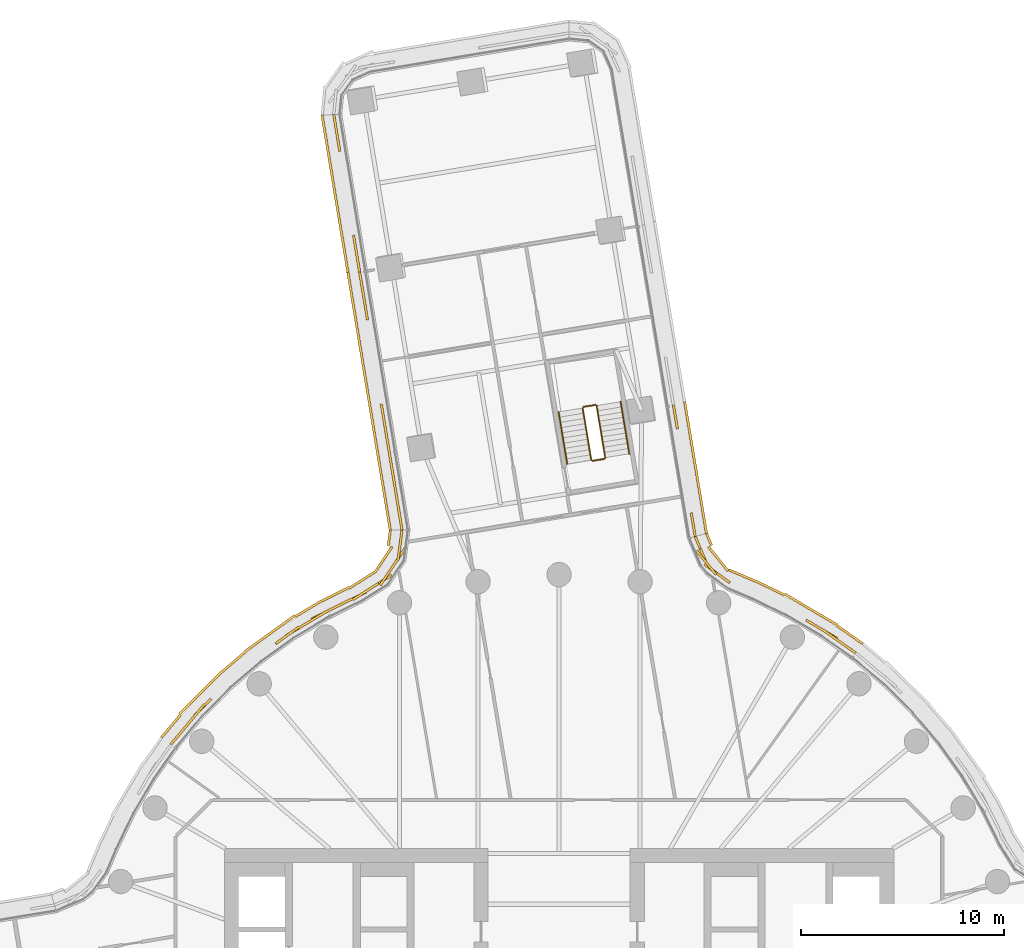
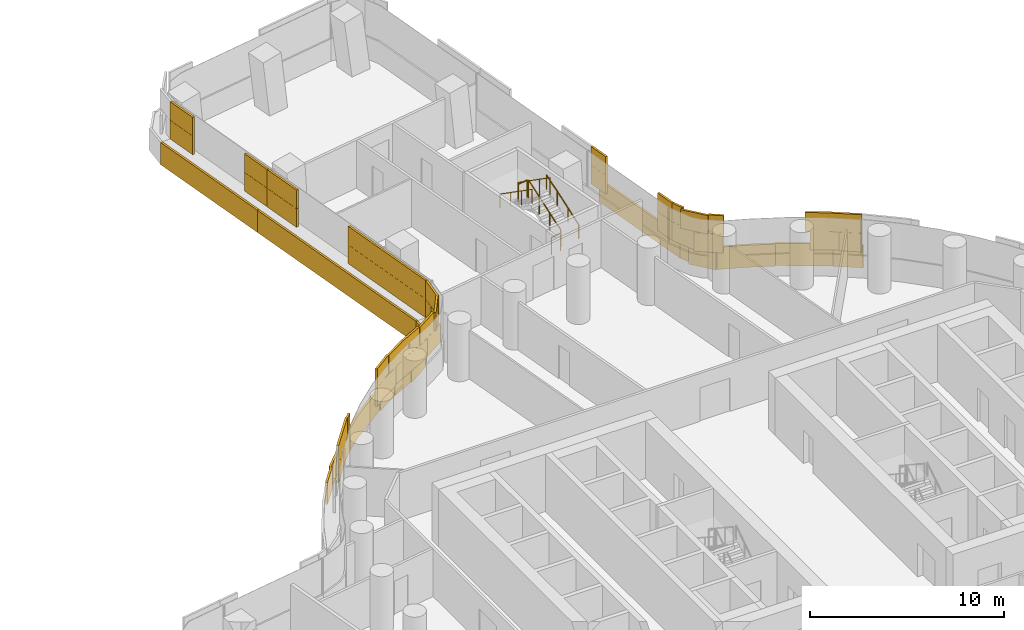
# One storey, part 31 of 32: 6 railings, 5 coverings.
"""IFC4 building model written with IfcOpenShell, lengths in metres."""

from ifc_helpers import new_model, si_unit, direction, frame, origin, origin_2d, place, context, subcontext, project, spatial, rectangle, circle, extrude, material, layer, layer_set, type_object, element, save


model = new_model("IFC4")

# Units and contexts
model_context = context("Model", 3, precision=1e-05, world=origin(), true_north=direction((0.0, 1.0)))
body_context = subcontext(model_context, "Body", "Model", "MODEL_VIEW")
ifc_project = project(units=[si_unit("LENGTHUNIT", "METRE"), si_unit("AREAUNIT", "SQUARE_METRE"), si_unit("VOLUMEUNIT", "CUBIC_METRE"), si_unit("PLANEANGLEUNIT", "RADIAN"), si_unit("MASSUNIT", "GRAM", prefix="KILO")], contexts=[model_context])

# Site, building, storey
site_placement = place(None, origin())
site = spatial("IfcSite", under=ifc_project, at=site_placement, CompositionType="ELEMENT")
building_placement = place(site_placement, origin())
building = spatial("IfcBuilding", under=site, at=building_placement, Name="Tamarind Cross Interchange Tower", CompositionType="ELEMENT")
storey_placement = place(building_placement, frame((0.0, 0.0, 67.75)))
storey = spatial("IfcBuildingStorey", under=building, at=storey_placement, Name="L15", CompositionType="ELEMENT", Elevation=67.75)

# Railings
ifc_material_1 = material(Name="Stair guard")
railing_type_1 = type_object("IfcRailingType", Name="Stair guard", PredefinedType="GUARDRAIL", material=ifc_material_1)
railing_1_placement = place(storey_placement, frame((2.275634765625, 28.7626953125, 0.17041015625)))
element("IfcRailing", 1, at=railing_1_placement, inside=storey, type_object=railing_type_1, Name="L15 ST4 stair guard 1", PredefinedType="GUARDRAIL", context=body_context, shape_type="SweptSolid", body=[
    extrude(circle(Radius=0.02392578125, at=origin_2d()), frame((0.0, 0.0, 1.076171875), z_axis=(-0.136643238685, 0.82504245151, 0.548300627874), x_axis=(-0.986560917186, -0.163393869779, 0.0)), (0.0, 0.0, 1.0), 3.10888671875),
    extrude(circle(Radius=0.02099609375, at=origin_2d()), origin(), (0.0, 0.0, 1.0), 1.052001953125),
    extrude(circle(Radius=0.02099609375, at=origin_2d()), frame((-0.1416015625, 0.85498046875, 0.568115234375)), (0.0, 0.0, 1.0), 1.052001953125),
    extrude(circle(Radius=0.02099609375, at=origin_2d()), frame((-0.283203125, 1.7099609375, 1.136474609375)), (0.0, 0.0, 1.0), 1.052001953125),
    extrude(circle(Radius=0.02099609375, at=origin_2d()), frame((-0.4248046875, 2.56494140625, 1.70458984375)), (0.0, 0.0, 1.0), 1.052001953125),
])
railing_2_placement = place(storey_placement, frame((1.79345703125, 31.368896484375, 1.875)))
element("IfcRailing", 2, at=railing_2_placement, inside=storey, type_object=railing_type_1, Name="L15 ST4 stair guard 2", PredefinedType="GUARDRAIL", context=body_context, shape_type="SweptSolid", body=[
    extrude(circle(Radius=0.02392578125, at=origin_2d()), frame((0.0, 0.0, 1.076171875), z_axis=(-0.98653648747, -0.163541306376, 0.0), x_axis=(0.163541306376, -0.98653648747, 0.0)), (0.0, 0.0, 1.0), 0.60009765625),
    extrude(circle(Radius=0.02099609375, at=origin_2d()), origin(), (0.0, 0.0, 1.0), 1.052001953125),
    extrude(circle(Radius=0.02099609375, at=origin_2d()), frame((-0.592041015625, -0.09814453125, 0.0)), (0.0, 0.0, 1.0), 1.052001953125),
])
railing_3_placement = place(storey_placement, frame((1.160400390625, 31.21337890625, 2.04541015625)))
element("IfcRailing", 3, at=railing_3_placement, inside=storey, type_object=railing_type_1, Name="L15 ST4 stair guard 3", PredefinedType="GUARDRAIL", context=body_context, shape_type="SweptSolid", body=[
    extrude(circle(Radius=0.02392578125, at=origin_2d()), frame((0.0, 0.0, 1.076171875), z_axis=(0.136634385862, -0.825067524282, 0.548265104648), x_axis=(0.986563423859, 0.163378733941, 0.0)), (0.0, 0.0, 1.0), 3.109130859375),
    extrude(circle(Radius=0.02099609375, at=origin_2d()), origin(), (0.0, 0.0, 1.0), 1.052001953125),
    extrude(circle(Radius=0.02099609375, at=origin_2d()), frame((0.1416015625, -0.85498046875, 0.568115234375)), (0.0, 0.0, 1.0), 1.052001953125),
    extrude(circle(Radius=0.02099609375, at=origin_2d()), frame((0.283203125, -1.710205078125, 1.136474609375)), (0.0, 0.0, 1.0), 1.052001953125),
    extrude(circle(Radius=0.02099609375, at=origin_2d()), frame((0.4248046875, -2.565185546875, 1.70458984375)), (0.0, 0.0, 1.0), 1.052001953125),
])
railing_4_placement = place(storey_placement, frame((2.234619140625, 28.705078125, 0.0)))
element("IfcRailing", 4, at=railing_4_placement, inside=storey, type_object=railing_type_1, Name="L15 ST4 stair guard 4", PredefinedType="GUARDRAIL", context=body_context, shape_type="SweptSolid", body=[
    extrude(circle(Radius=0.02392578125, at=origin_2d()), frame((0.0, 0.0, 1.076171875), z_axis=(-0.986602048355, -0.163145328408, 0.0), x_axis=(0.163145328408, -0.986602048355, 0.0)), (0.0, 0.0, 1.0), 0.60009765625),
    extrude(circle(Radius=0.02099609375, at=origin_2d()), origin(), (0.0, 0.0, 1.0), 1.052001953125),
    extrude(circle(Radius=0.02099609375, at=origin_2d()), frame((-0.592041015625, -0.097900390625, 0.0)), (0.0, 0.0, 1.0), 1.052001953125),
])
ifc_material_2 = material(Name="Stair handrail")
railing_type_2 = type_object("IfcRailingType", Name="Stair handrail", PredefinedType="HANDRAIL", material=ifc_material_2)
railing_5_placement = place(storey_placement, frame((3.45947265625, 28.958740234375, 0.17041015625)))
element("IfcRailing", 5, at=railing_5_placement, inside=storey, type_object=railing_type_2, Name="L15 ST4 stair handrail 1", PredefinedType="HANDRAIL", context=body_context, shape_type="SweptSolid", body=[
    extrude(circle(Radius=0.02392578125, at=origin_2d()), frame((0.0, 0.0, 0.8759765625), z_axis=(-0.136643238685, 0.82504245151, 0.548300627874), x_axis=(-0.986560917186, -0.163393869779, 0.0)), (0.0, 0.0, 1.0), 3.10888671875),
    extrude(circle(Radius=0.02099609375, at=origin_2d()), origin(), (0.0, 0.0, 1.0), 0.851806640625),
    extrude(circle(Radius=0.02099609375, at=origin_2d()), frame((-0.1416015625, 0.85498046875, 0.568115234375)), (0.0, 0.0, 1.0), 0.851806640625),
    extrude(circle(Radius=0.02099609375, at=origin_2d()), frame((-0.283203125, 1.7099609375, 1.136474609375)), (0.0, 0.0, 1.0), 0.851806640625),
    extrude(circle(Radius=0.02099609375, at=origin_2d()), frame((-0.4248046875, 2.56494140625, 1.70458984375)), (0.0, 0.0, 1.0), 0.851806640625),
])
railing_6_placement = place(storey_placement, frame((-0.023681640625, 31.017333984375, 2.04541015625)))
element("IfcRailing", 6, at=railing_6_placement, inside=storey, type_object=railing_type_2, Name="L15 ST4 stair handrail 2", PredefinedType="HANDRAIL", context=body_context, shape_type="SweptSolid", body=[
    extrude(circle(Radius=0.02392578125, at=origin_2d()), frame((0.0, 0.0, 0.8759765625), z_axis=(0.136634385862, -0.825067524282, 0.548265104648), x_axis=(0.986563423859, 0.163378733941, 0.0)), (0.0, 0.0, 1.0), 3.109130859375),
    extrude(circle(Radius=0.02099609375, at=origin_2d()), origin(), (0.0, 0.0, 1.0), 0.851806640625),
    extrude(circle(Radius=0.02099609375, at=origin_2d()), frame((0.1416015625, -0.85498046875, 0.568115234375)), (0.0, 0.0, 1.0), 0.851806640625),
    extrude(circle(Radius=0.02099609375, at=origin_2d()), frame((0.283203125, -1.710205078125, 1.136474609375)), (0.0, 0.0, 1.0), 0.851806640625),
    extrude(circle(Radius=0.02099609375, at=origin_2d()), frame((0.4248046875, -2.565185546875, 1.70458984375)), (0.0, 0.0, 1.0), 0.851806640625),
])

# Coverings
ifc_material_3 = material(Name="Terracotta", Category="masonry")
ifc_layer = layer(ifc_material_3, 0.1201171875)
ifc_layer_set = layer_set([ifc_layer], Name="Terracotta")
covering_type = type_object("IfcCoveringType", Name="Terracotta baguette screen unit", PredefinedType="MOLDING", material=ifc_layer_set)
covering_1_placement = place(storey_placement, origin())
element("IfcCovering", 7, at=covering_1_placement, inside=storey, type_object=covering_type, Name="SCR-L15-01-00", PredefinedType="MOLDING", context=body_context, shape_type="SweptSolid", body=[
    extrude(rectangle(XDim=0.760009765625, YDim=0.1201171875, at=origin_2d()), frame((-11.046630859375, 45.3056640625, 1.404052734375), z_axis=(0.0, 0.0, 1.0), x_axis=(0.162163789482, -0.986763854922, 0.0)), (0.0, 0.0, 1.0), 1.1669921875),
    extrude(rectangle(XDim=1.08984375, YDim=0.1201171875, at=origin_2d()), frame((-10.898193359375, 44.40283203125, 1.404052734375), z_axis=(0.0, 0.0, 1.0), x_axis=(0.162163789482, -0.986763854922, 0.0)), (0.0, 0.0, 1.0), 1.1669921875),
    extrude(rectangle(XDim=0.730224609375, YDim=0.1201171875, at=origin_2d()), frame((-10.071044921875, 39.370361328125, 1.404052734375), z_axis=(0.0, 0.0, 1.0), x_axis=(0.162163789482, -0.986763854922, 0.0)), (0.0, 0.0, 1.0), 1.1669921875),
    extrude(rectangle(XDim=1.11962890625, YDim=0.1201171875, at=origin_2d()), frame((-9.9228515625, 38.467529296875, 1.404052734375), z_axis=(0.0, 0.0, 1.0), x_axis=(0.162163789482, -0.986763854922, 0.0)), (0.0, 0.0, 1.0), 1.1669921875),
    extrude(rectangle(XDim=1.510009765625, YDim=0.1201171875, at=origin_2d()), frame((-10.98583984375, 44.935546875, 2.5791015625), z_axis=(0.0, 0.0, 1.0), x_axis=(0.162163789482, -0.986763854922, 0.0)), (0.0, 0.0, 1.0), 1.1669921875),
    extrude(rectangle(XDim=0.33984375, YDim=0.1201171875, at=origin_2d()), frame((-10.83740234375, 44.03271484375, 2.5791015625), z_axis=(0.0, 0.0, 1.0), x_axis=(0.162163789482, -0.986763854922, 0.0)), (0.0, 0.0, 1.0), 1.1669921875),
    extrude(rectangle(XDim=1.480224609375, YDim=0.1201171875, at=origin_2d()), frame((-10.01025390625, 39.000244140625, 2.5791015625), z_axis=(0.0, 0.0, 1.0), x_axis=(0.162163789482, -0.986763854922, 0.0)), (0.0, 0.0, 1.0), 1.1669921875),
    extrude(rectangle(XDim=0.36962890625, YDim=0.1201171875, at=origin_2d()), frame((-9.862060546875, 38.097412109375, 2.5791015625), z_axis=(0.0, 0.0, 1.0), x_axis=(0.162163789482, -0.986763854922, 0.0)), (0.0, 0.0, 1.0), 1.1669921875),
    extrude(rectangle(XDim=0.760009765625, YDim=0.1201171875, at=origin_2d()), frame((-11.624267578125, 45.28173828125, 0.00390625), z_axis=(0.0, 0.0, 1.0), x_axis=(0.162163789482, -0.986763854922, 0.0)), (0.0, 0.0, 1.0), 1.39208984375),
    extrude(rectangle(XDim=1.52001953125, YDim=0.1201171875, at=origin_2d()), frame((-11.442626953125, 44.176513671875, 0.00390625), z_axis=(0.0, 0.0, 1.0), x_axis=(0.162163789482, -0.986763854922, 0.0)), (0.0, 0.0, 1.0), 1.39208984375),
    extrude(rectangle(XDim=1.52001953125, YDim=0.1201171875, at=origin_2d()), frame((-11.199462890625, 42.696533203125, 0.00390625), z_axis=(0.0, 0.0, 1.0), x_axis=(0.162163789482, -0.986763854922, 0.0)), (0.0, 0.0, 1.0), 1.39208984375),
    extrude(rectangle(XDim=1.52001953125, YDim=0.1201171875, at=origin_2d()), frame((-10.956298828125, 41.21630859375, 0.00390625), z_axis=(0.0, 0.0, 1.0), x_axis=(0.162163789482, -0.986763854922, 0.0)), (0.0, 0.0, 1.0), 1.39208984375),
    extrude(rectangle(XDim=1.52001953125, YDim=0.1201171875, at=origin_2d()), frame((-10.712890625, 39.736083984375, 0.00390625), z_axis=(0.0, 0.0, 1.0), x_axis=(0.162163789482, -0.986763854922, 0.0)), (0.0, 0.0, 1.0), 1.39208984375),
    extrude(rectangle(XDim=1.115966796875, YDim=0.1201171875, at=origin_2d()), frame((-10.50244140625, 38.455322265625, 0.00390625), z_axis=(0.0, 0.0, 1.0), x_axis=(0.162163789482, -0.986763854922, 0.0)), (0.0, 0.0, 1.0), 1.39208984375),
])
covering_2_placement = place(storey_placement, origin())
element("IfcCovering", 8, at=covering_2_placement, inside=storey, type_object=covering_type, Name="SCR-L15-01-01", PredefinedType="MOLDING", context=body_context, shape_type="SweptSolid", body=[
    extrude(rectangle(XDim=0.400390625, YDim=0.1201171875, at=origin_2d()), frame((-9.80126953125, 37.727294921875, 1.404052734375), z_axis=(0.0, 0.0, 1.0), x_axis=(0.162163789482, -0.986763854922, 0.0)), (0.0, 0.0, 1.0), 1.1669921875),
    extrude(rectangle(XDim=1.52001953125, YDim=0.1201171875, at=origin_2d()), frame((-9.64794921875, 36.794677734375, 1.404052734375), z_axis=(0.0, 0.0, 1.0), x_axis=(0.162163789482, -0.986763854922, 0.0)), (0.0, 0.0, 1.0), 1.1669921875),
    extrude(rectangle(XDim=0.519287109375, YDim=0.1201171875, at=origin_2d()), frame((-9.48486328125, 35.803466796875, 1.404052734375), z_axis=(0.0, 0.0, 1.0), x_axis=(0.162163789482, -0.986763854922, 0.0)), (0.0, 0.0, 1.0), 1.1669921875),
    extrude(rectangle(XDim=1.300537109375, YDim=0.1201171875, at=origin_2d()), frame((-8.657958984375, 30.770751953125, 1.404052734375), z_axis=(0.0, 0.0, 1.0), x_axis=(0.162163789482, -0.986763854922, 0.0)), (0.0, 0.0, 1.0), 1.1669921875),
    extrude(rectangle(XDim=1.52001953125, YDim=0.1201171875, at=origin_2d()), frame((-8.431640625, 29.39404296875, 1.404052734375), z_axis=(0.0, 0.0, 1.0), x_axis=(0.162163789482, -0.986763854922, 0.0)), (0.0, 0.0, 1.0), 1.1669921875),
    extrude(rectangle(XDim=1.52001953125, YDim=0.1201171875, at=origin_2d()), frame((-8.1884765625, 27.913818359375, 1.404052734375), z_axis=(0.0, 0.0, 1.0), x_axis=(0.162163789482, -0.986763854922, 0.0)), (0.0, 0.0, 1.0), 1.1669921875),
    extrude(rectangle(XDim=1.52001953125, YDim=0.1201171875, at=origin_2d()), frame((-7.945068359375, 26.43359375, 1.404052734375), z_axis=(0.0, 0.0, 1.0), x_axis=(0.162163789482, -0.986763854922, 0.0)), (0.0, 0.0, 1.0), 1.1669921875),
    extrude(rectangle(XDim=0.511962890625, YDim=0.1201171875, at=origin_2d()), frame((-7.782958984375, 25.446044921875, 1.404052734375), z_axis=(0.0, 0.0, 1.0), x_axis=(0.162163789482, -0.986763854922, 0.0)), (0.0, 0.0, 1.0), 1.1669921875),
    extrude(rectangle(XDim=1.150390625, YDim=0.1201171875, at=origin_2d()), frame((-9.740478515625, 37.357421875, 2.5791015625), z_axis=(0.0, 0.0, 1.0), x_axis=(0.162163789482, -0.986763854922, 0.0)), (0.0, 0.0, 1.0), 1.1669921875),
    extrude(rectangle(XDim=1.269287109375, YDim=0.1201171875, at=origin_2d()), frame((-9.5458984375, 36.17333984375, 2.5791015625), z_axis=(0.0, 0.0, 1.0), x_axis=(0.162163789482, -0.986763854922, 0.0)), (0.0, 0.0, 1.0), 1.1669921875),
    extrude(rectangle(XDim=0.550537109375, YDim=0.1201171875, at=origin_2d()), frame((-8.71875, 31.140869140625, 2.5791015625), z_axis=(0.0, 0.0, 1.0), x_axis=(0.162163789482, -0.986763854922, 0.0)), (0.0, 0.0, 1.0), 1.1669921875),
    extrude(rectangle(XDim=1.52001953125, YDim=0.1201171875, at=origin_2d()), frame((-8.55322265625, 30.134033203125, 2.5791015625), z_axis=(0.0, 0.0, 1.0), x_axis=(0.162163789482, -0.986763854922, 0.0)), (0.0, 0.0, 1.0), 1.1669921875),
    extrude(rectangle(XDim=1.52001953125, YDim=0.1201171875, at=origin_2d()), frame((-8.31005859375, 28.654052734375, 2.5791015625), z_axis=(0.0, 0.0, 1.0), x_axis=(0.162163789482, -0.986763854922, 0.0)), (0.0, 0.0, 1.0), 1.1669921875),
    extrude(rectangle(XDim=1.52001953125, YDim=0.1201171875, at=origin_2d()), frame((-8.06689453125, 27.173828125, 2.5791015625), z_axis=(0.0, 0.0, 1.0), x_axis=(0.162163789482, -0.986763854922, 0.0)), (0.0, 0.0, 1.0), 1.1669921875),
    extrude(rectangle(XDim=1.261962890625, YDim=0.1201171875, at=origin_2d()), frame((-7.84375, 25.81591796875, 2.5791015625), z_axis=(0.0, 0.0, 1.0), x_axis=(0.162163789482, -0.986763854922, 0.0)), (0.0, 0.0, 1.0), 1.1669921875),
    extrude(rectangle(XDim=0.404052734375, YDim=0.1201171875, at=origin_2d()), frame((-10.37939453125, 37.70556640625, 0.00390625), z_axis=(0.0, 0.0, 1.0), x_axis=(0.162163789482, -0.986763854922, 0.0)), (0.0, 0.0, 1.0), 1.39208984375),
    extrude(rectangle(XDim=1.52001953125, YDim=0.1201171875, at=origin_2d()), frame((-10.2265625, 36.77587890625, 0.00390625), z_axis=(0.0, 0.0, 1.0), x_axis=(0.162163789482, -0.986763854922, 0.0)), (0.0, 0.0, 1.0), 1.39208984375),
    extrude(rectangle(XDim=1.52001953125, YDim=0.1201171875, at=origin_2d()), frame((-9.983154296875, 35.295654296875, 0.00390625), z_axis=(0.0, 0.0, 1.0), x_axis=(0.162163789482, -0.986763854922, 0.0)), (0.0, 0.0, 1.0), 1.39208984375),
    extrude(rectangle(XDim=1.52001953125, YDim=0.1201171875, at=origin_2d()), frame((-9.739990234375, 33.815673828125, 0.00390625), z_axis=(0.0, 0.0, 1.0), x_axis=(0.162163789482, -0.986763854922, 0.0)), (0.0, 0.0, 1.0), 1.39208984375),
    extrude(rectangle(XDim=1.52001953125, YDim=0.1201171875, at=origin_2d()), frame((-9.496826171875, 32.33544921875, 0.00390625), z_axis=(0.0, 0.0, 1.0), x_axis=(0.162163789482, -0.986763854922, 0.0)), (0.0, 0.0, 1.0), 1.39208984375),
    extrude(rectangle(XDim=1.52001953125, YDim=0.1201171875, at=origin_2d()), frame((-9.25341796875, 30.855224609375, 0.00390625), z_axis=(0.0, 0.0, 1.0), x_axis=(0.162163789482, -0.986763854922, 0.0)), (0.0, 0.0, 1.0), 1.39208984375),
    extrude(rectangle(XDim=1.52001953125, YDim=0.1201171875, at=origin_2d()), frame((-9.01025390625, 29.375244140625, 0.00390625), z_axis=(0.0, 0.0, 1.0), x_axis=(0.162163789482, -0.986763854922, 0.0)), (0.0, 0.0, 1.0), 1.39208984375),
    extrude(rectangle(XDim=1.52001953125, YDim=0.1201171875, at=origin_2d()), frame((-8.76708984375, 27.89501953125, 0.00390625), z_axis=(0.0, 0.0, 1.0), x_axis=(0.162163789482, -0.986763854922, 0.0)), (0.0, 0.0, 1.0), 1.39208984375),
    extrude(rectangle(XDim=1.52001953125, YDim=0.1201171875, at=origin_2d()), frame((-8.523681640625, 26.414794921875, 0.00390625), z_axis=(0.0, 0.0, 1.0), x_axis=(0.162163789482, -0.986763854922, 0.0)), (0.0, 0.0, 1.0), 1.39208984375),
    extrude(rectangle(XDim=0.501708984375, YDim=0.1201171875, at=origin_2d()), frame((-8.363037109375, 25.43701171875, 0.00390625), z_axis=(0.0, 0.0, 1.0), x_axis=(0.162163789482, -0.986763854922, 0.0)), (0.0, 0.0, 1.0), 1.39208984375),
])
covering_3_placement = place(storey_placement, origin())
element("IfcCovering", 9, at=covering_3_placement, inside=storey, type_object=covering_type, Name="SCR-L15-02-00", PredefinedType="MOLDING", context=body_context, shape_type="SweptSolid", body=[
    extrude(rectangle(XDim=0.760009765625, YDim=0.1201171875, at=origin_2d()), frame((-7.791748046875, 24.82666015625, 1.404052734375), z_axis=(0.0, 0.0, 1.0), x_axis=(-0.131933902651, -0.991258515893, 0.0)), (0.0, 0.0, 1.0), 1.1669921875),
    extrude(rectangle(XDim=1.52001953125, YDim=0.1201171875, at=origin_2d()), frame((-7.977783203125, 23.725830078125, 1.404052734375), z_axis=(0.0, 0.0, 1.0), x_axis=(-0.558488556931, -0.829512225213, 0.0)), (0.0, 0.0, 1.0), 1.1669921875),
    extrude(rectangle(XDim=1.52001953125, YDim=0.1201171875, at=origin_2d()), frame((-8.900390625, 22.568603515625, 1.404052734375), z_axis=(0.0, 0.0, 1.0), x_axis=(-0.844291446428, -0.535884272478, 0.0)), (0.0, 0.0, 1.0), 1.1669921875),
    extrude(rectangle(XDim=1.52001953125, YDim=0.1201171875, at=origin_2d()), frame((-10.19091796875, 21.8076171875, 1.404052734375), z_axis=(0.0, 0.0, 1.0), x_axis=(-0.896492548518, -0.443058811505, 0.0)), (0.0, 0.0, 1.0), 1.1669921875),
    extrude(rectangle(XDim=1.52001953125, YDim=0.1201171875, at=origin_2d()), frame((-11.53564453125, 21.14306640625, 1.404052734375), z_axis=(0.0, 0.0, 1.0), x_axis=(-0.896492548518, -0.443058811505, 0.0)), (0.0, 0.0, 1.0), 1.1669921875),
    extrude(rectangle(XDim=1.52001953125, YDim=0.1201171875, at=origin_2d()), frame((-12.82177734375, 20.37109375, 1.404052734375), z_axis=(0.0, 0.0, 1.0), x_axis=(-0.856843065292, -0.515577308909, 0.0)), (0.0, 0.0, 1.0), 1.1669921875),
    extrude(rectangle(XDim=0.64208984375, YDim=0.1201171875, at=origin_2d()), frame((-13.7099609375, 19.783203125, 1.404052734375), z_axis=(0.0, 0.0, 1.0), x_axis=(-0.811340475102, -0.584573890505, 0.0)), (0.0, 0.0, 1.0), 1.1669921875),
    extrude(rectangle(XDim=1.177978515625, YDim=0.1201171875, at=origin_2d()), frame((-17.566650390625, 16.462646484375, 1.404052734375), z_axis=(0.0, 0.0, 1.0), x_axis=(-0.704057148523, -0.710143317658, 0.0)), (0.0, 0.0, 1.0), 1.1669921875),
    extrude(rectangle(XDim=1.52001953125, YDim=0.1201171875, at=origin_2d()), frame((-18.44384765625, 15.458740234375, 1.404052734375), z_axis=(0.0, 0.0, 1.0), x_axis=(-0.643009266048, -0.765858396687, 0.0)), (0.0, 0.0, 1.0), 1.1669921875),
    extrude(rectangle(XDim=0.34814453125, YDim=0.1201171875, at=origin_2d()), frame((-19.034912109375, 14.7548828125, 1.404052734375), z_axis=(0.0, 0.0, 1.0), x_axis=(-0.643009266048, -0.765858396687, 0.0)), (0.0, 0.0, 1.0), 1.1669921875),
    extrude(rectangle(XDim=1.510009765625, YDim=0.1201171875, at=origin_2d()), frame((-7.841064453125, 24.454833984375, 2.5791015625), z_axis=(0.0, 0.0, 1.0), x_axis=(-0.131933902651, -0.991258515893, 0.0)), (0.0, 0.0, 1.0), 1.1669921875),
    extrude(rectangle(XDim=1.52001953125, YDim=0.1201171875, at=origin_2d()), frame((-8.396728515625, 23.103759765625, 2.5791015625), z_axis=(0.0, 0.0, 1.0), x_axis=(-0.558488556931, -0.829512225213, 0.0)), (0.0, 0.0, 1.0), 1.1669921875),
    extrude(rectangle(XDim=1.52001953125, YDim=0.1201171875, at=origin_2d()), frame((-9.533447265625, 22.166748046875, 2.5791015625), z_axis=(0.0, 0.0, 1.0), x_axis=(-0.844291446428, -0.535884272478, 0.0)), (0.0, 0.0, 1.0), 1.1669921875),
    extrude(rectangle(XDim=1.52001953125, YDim=0.1201171875, at=origin_2d()), frame((-10.86328125, 21.475341796875, 2.5791015625), z_axis=(0.0, 0.0, 1.0), x_axis=(-0.896492548518, -0.443058811505, 0.0)), (0.0, 0.0, 1.0), 1.1669921875),
    extrude(rectangle(XDim=1.52001953125, YDim=0.1201171875, at=origin_2d()), frame((-12.178955078125, 20.7578125, 2.5791015625), z_axis=(0.0, 0.0, 1.0), x_axis=(-0.856843065292, -0.515577308909, 0.0)), (0.0, 0.0, 1.0), 1.1669921875),
    extrude(rectangle(XDim=1.39208984375, YDim=0.1201171875, at=origin_2d()), frame((-13.405517578125, 20.00244140625, 2.5791015625), z_axis=(0.0, 0.0, 1.0), x_axis=(-0.811340475102, -0.584573890505, 0.0)), (0.0, 0.0, 1.0), 1.1669921875),
    extrude(rectangle(XDim=0.427978515625, YDim=0.1201171875, at=origin_2d()), frame((-17.302734375, 16.728759765625, 2.5791015625), z_axis=(0.0, 0.0, 1.0), x_axis=(-0.704057148523, -0.710143317658, 0.0)), (0.0, 0.0, 1.0), 1.1669921875),
    extrude(rectangle(XDim=1.52001953125, YDim=0.1201171875, at=origin_2d()), frame((-17.961669921875, 16.032958984375, 2.5791015625), z_axis=(0.0, 0.0, 1.0), x_axis=(-0.643009266048, -0.765858396687, 0.0)), (0.0, 0.0, 1.0), 1.1669921875),
    extrude(rectangle(XDim=1.09814453125, YDim=0.1201171875, at=origin_2d()), frame((-18.793701171875, 15.0419921875, 2.5791015625), z_axis=(0.0, 0.0, 1.0), x_axis=(-0.643009266048, -0.765858396687, 0.0)), (0.0, 0.0, 1.0), 1.1669921875),
    extrude(rectangle(XDim=0.760009765625, YDim=0.1201171875, at=origin_2d()), frame((-8.37255859375, 24.812744140625, 0.00390625), z_axis=(0.0, 0.0, 1.0), x_axis=(-0.131933902651, -0.991258515893, 0.0)), (0.0, 0.0, 1.0), 1.39208984375),
    extrude(rectangle(XDim=1.52001953125, YDim=0.1201171875, at=origin_2d()), frame((-8.65185546875, 23.75244140625, 0.00390625), z_axis=(0.0, 0.0, 1.0), x_axis=(-0.558488556931, -0.829512225213, 0.0)), (0.0, 0.0, 1.0), 1.39208984375),
    extrude(rectangle(XDim=1.52001953125, YDim=0.1201171875, at=origin_2d()), frame((-9.7099609375, 22.734619140625, 0.00390625), z_axis=(0.0, 0.0, 1.0), x_axis=(-0.844291446428, -0.535884272478, 0.0)), (0.0, 0.0, 1.0), 1.39208984375),
    extrude(rectangle(XDim=1.52001953125, YDim=0.1201171875, at=origin_2d()), frame((-11.032958984375, 22.031494140625, 0.00390625), z_axis=(0.0, 0.0, 1.0), x_axis=(-0.896492548518, -0.443058811505, 0.0)), (0.0, 0.0, 1.0), 1.39208984375),
    extrude(rectangle(XDim=1.52001953125, YDim=0.1201171875, at=origin_2d()), frame((-12.353515625, 21.32275390625, 0.00390625), z_axis=(0.0, 0.0, 1.0), x_axis=(-0.856843065292, -0.515577308909, 0.0)), (0.0, 0.0, 1.0), 1.39208984375),
    extrude(rectangle(XDim=1.52001953125, YDim=0.1201171875, at=origin_2d()), frame((-13.635498046875, 20.54443359375, 0.00390625), z_axis=(0.0, 0.0, 1.0), x_axis=(-0.811340475102, -0.584573890505, 0.0)), (0.0, 0.0, 1.0), 1.39208984375),
    extrude(rectangle(XDim=1.52001953125, YDim=0.1201171875, at=origin_2d()), frame((-14.8525390625, 19.66748046875, 0.00390625), z_axis=(0.0, 0.0, 1.0), x_axis=(-0.811340475102, -0.584573890505, 0.0)), (0.0, 0.0, 1.0), 1.39208984375),
    extrude(rectangle(XDim=1.52001953125, YDim=0.1201171875, at=origin_2d()), frame((-16.016845703125, 18.723388671875, 0.00390625), z_axis=(0.0, 0.0, 1.0), x_axis=(-0.760295606781, -0.64957723968, 0.0)), (0.0, 0.0, 1.0), 1.39208984375),
    extrude(rectangle(XDim=1.52001953125, YDim=0.1201171875, at=origin_2d()), frame((-17.12939453125, 17.718994140625, 0.00390625), z_axis=(0.0, 0.0, 1.0), x_axis=(-0.704057148523, -0.710143317658, 0.0)), (0.0, 0.0, 1.0), 1.39208984375),
    extrude(rectangle(XDim=1.52001953125, YDim=0.1201171875, at=origin_2d()), frame((-18.185302734375, 16.65380859375, 0.00390625), z_axis=(0.0, 0.0, 1.0), x_axis=(-0.704057148523, -0.710143317658, 0.0)), (0.0, 0.0, 1.0), 1.39208984375),
    extrude(rectangle(XDim=1.4560546875, YDim=0.1201171875, at=origin_2d()), frame((-19.1318359375, 15.53173828125, 0.00390625), z_axis=(0.0, 0.0, 1.0), x_axis=(-0.643009266048, -0.765858396687, 0.0)), (0.0, 0.0, 1.0), 1.39208984375),
])
covering_4_placement = place(storey_placement, origin())
element("IfcCovering", 10, at=covering_4_placement, inside=storey, type_object=covering_type, Name="SCR-L15-14-01", PredefinedType="MOLDING", context=body_context, shape_type="SweptSolid", body=[
    extrude(rectangle(XDim=1.171875, YDim=0.1201171875, at=origin_2d()), frame((14.1455078125, 19.4716796875, 1.404052734375), z_axis=(0.0, 0.0, 1.0), x_axis=(-0.816341886298, 0.577568978284, 0.0)), (0.0, 0.0, 1.0), 1.1669921875),
    extrude(rectangle(XDim=1.52001953125, YDim=0.1201171875, at=origin_2d()), frame((13.057373046875, 20.238037109375, 1.404052734375), z_axis=(0.0, 0.0, 1.0), x_axis=(-0.861248933065, 0.508183308752, 0.0)), (0.0, 0.0, 1.0), 1.1669921875),
    extrude(rectangle(XDim=1.52001953125, YDim=0.1201171875, at=origin_2d()), frame((7.782958984375, 23.063232421875, 1.404052734375), z_axis=(0.0, 0.0, 1.0), x_axis=(-0.807619088086, 0.58970450953, 0.0)), (0.0, 0.0, 1.0), 1.1669921875),
    extrude(rectangle(XDim=1.40771484375, YDim=0.1201171875, at=origin_2d()), frame((6.98193359375, 24.23193359375, 1.404052734375), z_axis=(0.0, 0.0, 1.0), x_axis=(-0.388605632724, 0.921404179617, 0.0)), (0.0, 0.0, 1.0), 1.1669921875),
    extrude(rectangle(XDim=0.421875, YDim=0.1201171875, at=origin_2d()), frame((14.451416015625, 19.255126953125, 2.5791015625), z_axis=(0.0, 0.0, 1.0), x_axis=(-0.816341886298, 0.577568978284, 0.0)), (0.0, 0.0, 1.0), 1.1669921875),
    extrude(rectangle(XDim=1.52001953125, YDim=0.1201171875, at=origin_2d()), frame((13.671142578125, 19.80712890625, 2.5791015625), z_axis=(0.0, 0.0, 1.0), x_axis=(-0.816341886298, 0.577568978284, 0.0)), (0.0, 0.0, 1.0), 1.1669921875),
    extrude(rectangle(XDim=1.02783203125, YDim=0.1201171875, at=origin_2d()), frame((12.618896484375, 20.49658203125, 2.5791015625), z_axis=(0.0, 0.0, 1.0), x_axis=(-0.861248933065, 0.508183308752, 0.0)), (0.0, 0.0, 1.0), 1.1669921875),
    extrude(rectangle(XDim=0.7919921875, YDim=0.1201171875, at=origin_2d()), frame((8.098876953125, 22.832763671875, 2.5791015625), z_axis=(0.0, 0.0, 1.0), x_axis=(-0.807619088086, 0.58970450953, 0.0)), (0.0, 0.0, 1.0), 1.1669921875),
    extrude(rectangle(XDim=1.52001953125, YDim=0.1201171875, at=origin_2d()), frame((7.258544921875, 23.591064453125, 2.5791015625), z_axis=(0.0, 0.0, 1.0), x_axis=(-0.629913015417, 0.776665689347, 0.0)), (0.0, 0.0, 1.0), 1.1669921875),
    extrude(rectangle(XDim=0.65771484375, YDim=0.1201171875, at=origin_2d()), frame((6.836181640625, 24.577392578125, 2.5791015625), z_axis=(0.0, 0.0, 1.0), x_axis=(-0.388605632724, 0.921404179617, 0.0)), (0.0, 0.0, 1.0), 1.1669921875),
    extrude(rectangle(XDim=0.06396484375, YDim=0.1201171875, at=origin_2d()), frame((14.9423828125, 19.61083984375, 0.00390625), z_axis=(0.0, 0.0, 1.0), x_axis=(-0.816341886298, 0.577568978284, 0.0)), (0.0, 0.0, 1.0), 1.39208984375),
    extrude(rectangle(XDim=1.52001953125, YDim=0.1201171875, at=origin_2d()), frame((14.31201171875, 20.056884765625, 0.00390625), z_axis=(0.0, 0.0, 1.0), x_axis=(-0.816341886298, 0.577568978284, 0.0)), (0.0, 0.0, 1.0), 1.39208984375),
    extrude(rectangle(XDim=1.52001953125, YDim=0.1201171875, at=origin_2d()), frame((13.070556640625, 20.896728515625, 0.00390625), z_axis=(0.0, 0.0, 1.0), x_axis=(-0.861248933065, 0.508183308752, 0.0)), (0.0, 0.0, 1.0), 1.39208984375),
    extrude(rectangle(XDim=1.52001953125, YDim=0.1201171875, at=origin_2d()), frame((11.778564453125, 21.658935546875, 0.00390625), z_axis=(0.0, 0.0, 1.0), x_axis=(-0.861248933065, 0.508183308752, 0.0)), (0.0, 0.0, 1.0), 1.39208984375),
    extrude(rectangle(XDim=1.52001953125, YDim=0.1201171875, at=origin_2d()), frame((10.434326171875, 22.323486328125, 0.00390625), z_axis=(0.0, 0.0, 1.0), x_axis=(-0.900272776334, 0.435326231914, 0.0)), (0.0, 0.0, 1.0), 1.39208984375),
    extrude(rectangle(XDim=1.52001953125, YDim=0.1201171875, at=origin_2d()), frame((9.066650390625, 22.938232421875, 0.00390625), z_axis=(0.0, 0.0, 1.0), x_axis=(-0.921481430343, 0.388422416362, 0.0)), (0.0, 0.0, 1.0), 1.39208984375),
    extrude(rectangle(XDim=1.52001953125, YDim=0.1201171875, at=origin_2d()), frame((7.84326171875, 23.78125, 0.00390625), z_axis=(0.0, 0.0, 1.0), x_axis=(-0.629913015417, 0.776665689347, 0.0)), (0.0, 0.0, 1.0), 1.39208984375),
    extrude(rectangle(XDim=0.647705078125, YDim=0.1201171875, at=origin_2d()), frame((7.391357421875, 24.73828125, 0.00390625), z_axis=(0.0, 0.0, 1.0), x_axis=(-0.388605632724, 0.921404179617, 0.0)), (0.0, 0.0, 1.0), 1.39208984375),
])
covering_5_placement = place(storey_placement, origin())
element("IfcCovering", 11, at=covering_5_placement, inside=storey, type_object=covering_type, Name="SCR-L15-15-00", PredefinedType="MOLDING", context=body_context, shape_type="SweptSolid", body=[
    extrude(rectangle(XDim=0.760009765625, YDim=0.1201171875, at=origin_2d()), frame((6.64892578125, 25.245849609375, 1.404052734375), z_axis=(0.0, 0.0, 1.0), x_axis=(-0.163381062571, 0.986563038226, 0.0)), (0.0, 0.0, 1.0), 1.1669921875),
    extrude(rectangle(XDim=0.445068359375, YDim=0.1201171875, at=origin_2d()), frame((6.55224609375, 25.830322265625, 1.404052734375), z_axis=(0.0, 0.0, 1.0), x_axis=(-0.163381062571, 0.986563038226, 0.0)), (0.0, 0.0, 1.0), 1.1669921875),
    extrude(rectangle(XDim=1.18505859375, YDim=0.1201171875, at=origin_2d()), frame((5.733642578125, 30.773193359375, 1.404052734375), z_axis=(0.0, 0.0, 1.0), x_axis=(-0.163381062571, 0.986563038226, 0.0)), (0.0, 0.0, 1.0), 1.1669921875),
    extrude(rectangle(XDim=1.18505859375, YDim=0.1201171875, at=origin_2d()), frame((6.613525390625, 25.46044921875, 2.5791015625), z_axis=(0.0, 0.0, 1.0), x_axis=(-0.163381062571, 0.986563038226, 0.0)), (0.0, 0.0, 1.0), 1.1669921875),
    extrude(rectangle(XDim=0.625, YDim=0.1201171875, at=origin_2d()), frame((5.7802734375, 30.491943359375, 2.5791015625), z_axis=(0.0, 0.0, 1.0), x_axis=(-0.163381062571, 0.986563038226, 0.0)), (0.0, 0.0, 1.0), 1.1669921875),
    extrude(rectangle(XDim=0.579833984375, YDim=0.1201171875, at=origin_2d()), frame((5.683349609375, 31.076416015625, 2.5791015625), z_axis=(0.0, 0.0, 1.0), x_axis=(-0.163381062571, 0.986563038226, 0.0)), (0.0, 0.0, 1.0), 1.1669921875),
    extrude(rectangle(XDim=0.760009765625, YDim=0.1201171875, at=origin_2d()), frame((7.203369140625, 25.411376953125, 0.00390625), z_axis=(0.0, 0.0, 1.0), x_axis=(-0.163381062571, 0.986563038226, 0.0)), (0.0, 0.0, 1.0), 1.39208984375),
    extrude(rectangle(XDim=1.52001953125, YDim=0.1201171875, at=origin_2d()), frame((7.0205078125, 26.516357421875, 0.00390625), z_axis=(0.0, 0.0, 1.0), x_axis=(-0.163381062571, 0.986563038226, 0.0)), (0.0, 0.0, 1.0), 1.39208984375),
    extrude(rectangle(XDim=1.52001953125, YDim=0.1201171875, at=origin_2d()), frame((6.775390625, 27.996337890625, 0.00390625), z_axis=(0.0, 0.0, 1.0), x_axis=(-0.163381062571, 0.986563038226, 0.0)), (0.0, 0.0, 1.0), 1.39208984375),
    extrude(rectangle(XDim=1.52001953125, YDim=0.1201171875, at=origin_2d()), frame((6.5302734375, 29.47607421875, 0.00390625), z_axis=(0.0, 0.0, 1.0), x_axis=(-0.163381062571, 0.986563038226, 0.0)), (0.0, 0.0, 1.0), 1.39208984375),
    extrude(rectangle(XDim=1.33203125, YDim=0.1201171875, at=origin_2d()), frame((6.300537109375, 30.86328125, 0.00390625), z_axis=(0.0, 0.0, 1.0), x_axis=(-0.163381062571, 0.986563038226, 0.0)), (0.0, 0.0, 1.0), 1.39208984375),
])

save(model, "model.ifc")
